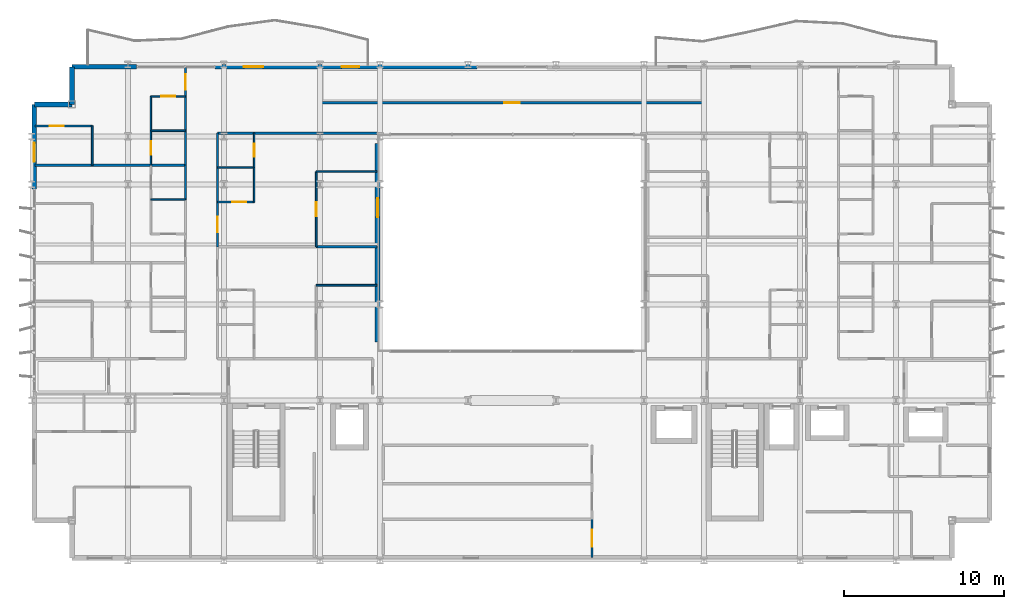
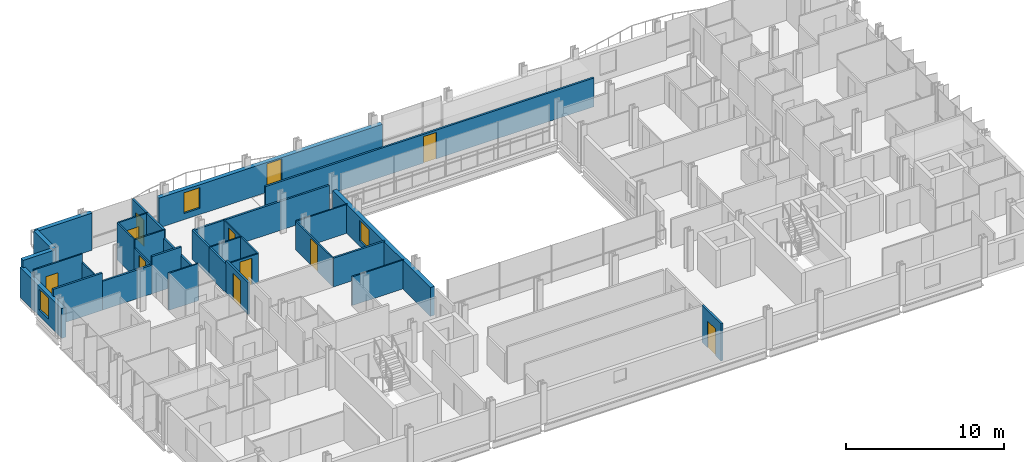
# One storey, part 29 of 39: 35 walls, 11 doors, 3 windows, 14 openings.
"""IFC4 building model written with IfcOpenShell, lengths in metres."""

from ifc_helpers import new_model, si_unit, direction, frame, frame_2d, origin, place, context, subcontext, project, spatial, rectangle, extrude, material, layer, layer_set, type_object, element, fill, save


model = new_model("IFC4")

# Units and contexts
model_context = context("Model", 3, precision=1e-05, world=origin(), true_north=direction((0.0, 1.0)))
body_context = subcontext(model_context, "Body", "Model", "MODEL_VIEW")
ifc_project = project(units=[si_unit("LENGTHUNIT", "METRE"), si_unit("AREAUNIT", "SQUARE_METRE"), si_unit("VOLUMEUNIT", "CUBIC_METRE"), si_unit("PLANEANGLEUNIT", "RADIAN"), si_unit("MASSUNIT", "GRAM", prefix="KILO")], contexts=[model_context])

# Site, building, storey
site_placement = place(None, origin())
site = spatial("IfcSite", under=ifc_project, at=site_placement, CompositionType="ELEMENT")
building_placement = place(site_placement, origin())
building = spatial("IfcBuilding", under=site, at=building_placement, Name="Brevholm Reach", CompositionType="ELEMENT")
storey_placement = place(building_placement, frame((0.0, 0.0, 34.199951171875)))
storey = spatial("IfcBuildingStorey", under=building, at=storey_placement, Name="L08", CompositionType="ELEMENT", Elevation=34.199951171875)

# Walls
ifc_material_1 = material(Name="Concrete C40/50", Category="concrete")
ifc_layer_1 = layer(ifc_material_1, 0.300048828125)
ifc_layer_set_1 = layer_set([ifc_layer_1], Name="Concrete C40/50")
wall_type_1 = type_object("IfcWallType", Name="WAL-EXT-300", PredefinedType="STANDARD", material=ifc_layer_set_1)
for number, where, z_axis, x_axis, name in (
    (1, (2.5, 30.85009765625, 0.0), (0.0, 0.0, 1.0), (0.0, -1.0, 0.0), "L08 Facade Wall WAL-L08-CNW1"),
    (2, (2.5, 28.5, 0.0), (0.0, 0.0, 1.0), (-1.0, 0.0, 0.0), "L08 Facade Wall WAL-L08-CNW2"),
):
    element("IfcWall", number, at=place(storey_placement, frame(where, z_axis=z_axis, x_axis=x_axis)), inside=storey, type_object=wall_type_1, Name=name, PredefinedType="STANDARD", context=body_context, shape_type="SweptSolid", body=[
        extrude(rectangle(XDim=2.35009765625, YDim=0.300048828125, at=frame_2d((1.175048828125, 0.0))), origin(), (0.0, 0.0, 1.0), 2.8701171875),
    ])

# Wall, opening, window
wall_1_placement = place(storey_placement, frame((0.14990234375, 28.5, 0.0), z_axis=(0.0, 0.0, 1.0), x_axis=(0.0, -1.0, 0.0)))
wall_1 = element("IfcWall", 3, at=wall_1_placement, inside=storey, type_object=wall_type_1, Name="L08 Facade Wall WAL-L08-W-N", PredefinedType="STANDARD", context=body_context, shape_type="SweptSolid", body=[
    extrude(rectangle(XDim=5.280029296875, YDim=0.300048828125, at=frame_2d((2.64013671875, 0.0))), origin(), (0.0, 0.0, 1.0), 2.3056640625),
])
opening_1_placement = place(wall_1_placement, frame((2.39990234375, 0.0, 0.485107421875)))
opening_1 = element("IfcOpeningElement", 4, at=opening_1_placement, cuts=wall_1, Name="Opening WN-08", PredefinedType="OPENING", context=body_context, shape_type="SweptSolid", body=[
    extrude(rectangle(XDim=1.199951171875, YDim=1.60009765625, at=frame_2d((0.60009765625, 0.800048828125))), frame((0.0, 0.159912109375, 0.0), z_axis=(0.0, -1.0, 0.0), x_axis=(1.0, 0.0, 0.0)), (0.0, 0.0, 1.0), 0.320068359375),
])
ifc_material_2 = material(Name="Dark Anodised Aluminium and Solar-Control IGU Glass", Category="aluminium")
window_type = type_object("IfcWindowType", Name="WIN-RES-1200", PartitioningType="SINGLE_PANEL", PredefinedType="WINDOW", material=ifc_material_2)
window_1_placement = place(opening_1_placement, origin())
window_1 = element("IfcWindow", 5, at=window_1_placement, inside=storey, type_object=window_type, Name="L08 Window WIN-L08-WN-1", OverallHeight=1.60009765625, OverallWidth=1.199951171875, PartitioningType="SINGLE_PANEL", PredefinedType="WINDOW", context=body_context, shape_type="SweptSolid", body=[
    extrude(rectangle(XDim=1.199951171875, YDim=1.60009765625, at=frame_2d((0.60009765625, 0.800048828125))), frame((0.0, 0.030029296875, 0.0), z_axis=(0.0, -1.0, 0.0), x_axis=(1.0, 0.0, 0.0)), (0.0, 0.0, 1.0), 0.06005859375),
])
fill(opening_1, window_1)

# Wall
wall_2_placement = place(storey_placement, frame((2.5, 30.85009765625, 0.0), z_axis=(0.0, 0.0, 1.0), x_axis=(1.0, 0.0, 0.0)))
element("IfcWall", 6, at=wall_2_placement, inside=storey, type_object=wall_type_1, Name="L08 Facade Wall WAL-L08-NP-W0", PredefinedType="STANDARD", context=body_context, shape_type="SweptSolid", body=[
    extrude(rectangle(XDim=4.050048828125, YDim=0.300048828125, at=frame_2d((2.02490234375, 0.0))), origin(), (0.0, 0.0, 1.0), 2.8701171875),
])

# Wall, openings, door, window
wall_3_placement = place(storey_placement, frame((11.449951171875, 30.85009765625, 0.0), z_axis=(0.0, 0.0, 1.0), x_axis=(1.0, 0.0, 0.0)))
wall_3 = element("IfcWall", 7, at=wall_3_placement, inside=storey, type_object=wall_type_1, Name="L08 Facade Wall WAL-L08-NP-WL", PredefinedType="STANDARD", context=body_context, shape_type="SweptSolid", body=[
    extrude(rectangle(XDim=16.35009765625, YDim=0.300048828125, at=frame_2d((8.175048828125, 0.0))), origin(), (0.0, 0.0, 1.0), 2.3056640625),
])
opening_2_placement = place(wall_3_placement, frame((7.89794921875, 0.0, 0.0)))
opening_2 = element("IfcOpeningElement", 8, at=opening_2_placement, cuts=wall_3, Name="Opening BD-01", PredefinedType="OPENING", context=body_context, shape_type="SweptSolid", body=[
    extrude(rectangle(XDim=1.10009765625, YDim=2.199951171875, at=frame_2d((0.550048828125, 1.10009765625))), frame((0.0, 0.159912109375, 0.0), z_axis=(0.0, -1.0, 0.0), x_axis=(1.0, 0.0, 0.0)), (0.0, 0.0, 1.0), 0.320068359375),
])
opening_3_placement = place(wall_3_placement, frame((1.800048828125, 0.0, 0.485107421875)))
opening_3 = element("IfcOpeningElement", 9, at=opening_3_placement, cuts=wall_3, Name="Opening WN-08", PredefinedType="OPENING", context=body_context, shape_type="SweptSolid", body=[
    extrude(rectangle(XDim=1.199951171875, YDim=1.60009765625, at=frame_2d((0.60009765625, 0.800048828125))), frame((0.0, 0.159912109375, 0.0), z_axis=(0.0, -1.0, 0.0), x_axis=(1.0, 0.0, 0.0)), (0.0, 0.0, 1.0), 0.320068359375),
])
ifc_material_3 = material(Name="Dark Anodised Aluminium and Triple-Glazed Glass", Category="aluminium")
door_type_1 = type_object("IfcDoorType", Name="DOR-BALC-1100", OperationType="NOTDEFINED", PredefinedType="DOOR", material=ifc_material_3)
door_1_placement = place(opening_2_placement, origin())
door_1 = element("IfcDoor", 10, at=door_1_placement, inside=storey, type_object=door_type_1, Name="L08 Exterior Door DOR-L08-BL-NW", OperationType="SINGLE_SWING_LEFT", OverallHeight=2.199951171875, OverallWidth=1.10009765625, PredefinedType="DOOR", context=body_context, shape_type="SweptSolid", body=[
    extrude(rectangle(XDim=1.10009765625, YDim=2.199951171875, at=frame_2d((0.550048828125, 1.10009765625))), frame((0.0, 0.02490234375, 0.0), z_axis=(0.0, -1.0, 0.0), x_axis=(1.0, 0.0, 0.0)), (0.0, 0.0, 1.0), 0.050048828125),
])
fill(opening_2, door_1)
window_2_placement = place(opening_3_placement, origin())
window_2 = element("IfcWindow", 11, at=window_2_placement, inside=storey, type_object=window_type, Name="L08 Window WIN-L08-NP-WL1", OverallHeight=1.60009765625, OverallWidth=1.199951171875, PartitioningType="SINGLE_PANEL", PredefinedType="WINDOW", context=body_context, shape_type="SweptSolid", body=[
    extrude(rectangle(XDim=1.199951171875, YDim=1.60009765625, at=frame_2d((0.60009765625, 0.800048828125))), frame((0.0, 0.030029296875, 0.0), z_axis=(0.0, -1.0, 0.0), x_axis=(1.0, 0.0, 0.0)), (0.0, 0.0, 1.0), 0.06005859375),
])
fill(opening_3, window_2)

# Wall, opening, window
wall_4_placement = place(storey_placement, frame((21.60009765625, 26.050048828125, 0.0), z_axis=(0.0, 0.0, 1.0), x_axis=(0.0, -1.0, 0.0)))
wall_4 = element("IfcWall", 12, at=wall_4_placement, inside=storey, type_object=wall_type_1, Name="L08 Facade Wall WAL-L08-AT-W", PredefinedType="STANDARD", context=body_context, shape_type="SweptSolid", body=[
    extrude(rectangle(XDim=12.400146484375, YDim=0.300048828125, at=frame_2d((6.2001953125, 0.0))), origin(), (0.0, 0.0, 1.0), 2.224853515625),
])
opening_4_placement = place(wall_4_placement, frame((3.39990234375, 0.0, 0.405029296875)))
opening_4 = element("IfcOpeningElement", 13, at=opening_4_placement, cuts=wall_4, Name="Opening WN-08", PredefinedType="OPENING", context=body_context, shape_type="SweptSolid", body=[
    extrude(rectangle(XDim=1.199951171875, YDim=1.60009765625, at=frame_2d((0.60009765625, 0.800048828125))), frame((0.0, 0.159912109375, 0.0), z_axis=(0.0, -1.0, 0.0), x_axis=(1.0, 0.0, 0.0)), (0.0, 0.0, 1.0), 0.320068359375),
])
window_3_placement = place(opening_4_placement, origin())
window_3 = element("IfcWindow", 14, at=window_3_placement, inside=storey, type_object=window_type, Name="L08 Window WIN-L08-AT-W1", OverallHeight=1.60009765625, OverallWidth=1.199951171875, PartitioningType="SINGLE_PANEL", PredefinedType="WINDOW", context=body_context, shape_type="SweptSolid", body=[
    extrude(rectangle(XDim=1.199951171875, YDim=1.60009765625, at=frame_2d((0.60009765625, 0.800048828125))), frame((0.0, 0.030029296875, 0.0), z_axis=(0.0, -1.0, 0.0), x_axis=(1.0, 0.0, 0.0)), (0.0, 0.0, 1.0), 0.06005859375),
])
fill(opening_4, window_3)

# Walls
ifc_material_4 = material(Name="Moisture-Resistant Acoustic Gypsum Stud Partition 100 mm", Category="gypsum")
ifc_layer_2 = layer(ifc_material_4, 0.10009765625)
ifc_layer_set_2 = layer_set([ifc_layer_2], Name="Moisture-Resistant Acoustic Gypsum Stud Partition 100 mm")
wall_type_2 = type_object("IfcWallType", Name="WAL-PRT-100", PredefinedType="PARTITIONING", material=ifc_layer_set_2)
for number, where, z_axis, x_axis, name in (
    (15, (7.43798828125, 22.550048828125, 0.0), (0.0, 0.0, 1.0), (1.0, 0.0, 0.0), "L08 Internal Partition 095"),
    (16, (7.43798828125, 26.85009765625, 0.0), (0.0, 0.0, 1.0), (1.0, 0.0, 0.0), "L08 Internal Partition 104"),
):
    element("IfcWall", number, at=place(storey_placement, frame(where, z_axis=z_axis, x_axis=x_axis)), inside=storey, type_object=wall_type_2, Name=name, PredefinedType="PARTITIONING", context=body_context, shape_type="SweptSolid", body=[
        extrude(rectangle(XDim=2.157958984375, YDim=0.10009765625, at=frame_2d((1.0791015625, 0.0))), origin(), (0.0, 0.0, 1.0), 2.8701171875),
    ])

# Wall, opening, door
wall_5_placement = place(storey_placement, frame((7.43798828125, 24.7041015625, 0.0), z_axis=(0.0, 0.0, 1.0), x_axis=(0.0, 1.0, 0.0)))
wall_5 = element("IfcWall", 17, at=wall_5_placement, inside=storey, type_object=wall_type_2, Name="L08 Internal Partition 105", PredefinedType="PARTITIONING", context=body_context, shape_type="SweptSolid", body=[
    extrude(rectangle(XDim=2.14599609375, YDim=0.10009765625, at=frame_2d((1.072998046875, 0.0))), origin(), (0.0, 0.0, 1.0), 2.224853515625),
])
opening_5_placement = place(wall_5_placement, frame((0.6630859375, 0.0, 0.0)))
opening_5 = element("IfcOpeningElement", 18, at=opening_5_placement, cuts=wall_5, Name="Opening ID-03", PredefinedType="OPENING", context=body_context, shape_type="SweptSolid", body=[
    extrude(rectangle(XDim=0.820068359375, YDim=2.02001953125, at=frame_2d((0.41015625, 1.010009765625))), frame((0.0, 0.06005859375, 0.0), z_axis=(0.0, -1.0, 0.0), x_axis=(1.0, 0.0, 0.0)), (0.0, 0.0, 1.0), 0.1201171875),
])
ifc_material_5 = material(Name="Moisture-Resistant Painted Timber Internal Bathroom Door", Category="wood")
door_type_2 = type_object("IfcDoorType", Name="DOR-BATH-820", OperationType="NOTDEFINED", PredefinedType="DOOR", material=ifc_material_5)
door_2_placement = place(opening_5_placement, origin())
door_2 = element("IfcDoor", 19, at=door_2_placement, inside=storey, type_object=door_type_2, Name="L08 Internal Door 037", OperationType="SINGLE_SWING_LEFT", OverallHeight=2.02001953125, OverallWidth=0.820068359375, PredefinedType="DOOR", context=body_context, shape_type="SweptSolid", body=[
    extrude(rectangle(XDim=0.820068359375, YDim=2.02001953125, at=frame_2d((0.41015625, 1.010009765625))), frame((0.0, 0.02490234375, 0.0), z_axis=(0.0, -1.0, 0.0), x_axis=(1.0, 0.0, 0.0)), (0.0, 0.0, 1.0), 0.050048828125),
])
fill(opening_5, door_2)

wall_6_placement = place(storey_placement, frame((7.43798828125, 29.0, 0.0), z_axis=(0.0, 0.0, 1.0), x_axis=(1.0, 0.0, 0.0)))
wall_6 = element("IfcWall", 20, at=wall_6_placement, inside=storey, type_object=wall_type_2, Name="L08 Internal Partition 106", PredefinedType="PARTITIONING", context=body_context, shape_type="SweptSolid", body=[
    extrude(rectangle(XDim=2.157958984375, YDim=0.10009765625, at=frame_2d((1.0791015625, 0.0))), origin(), (0.0, 0.0, 1.0), 2.8701171875),
])
opening_6_placement = place(wall_6_placement, frame((0.638916015625, 0.0, 0.0)))
opening_6 = element("IfcOpeningElement", 21, at=opening_6_placement, cuts=wall_6, Name="Opening ID-01", PredefinedType="OPENING", context=body_context, shape_type="SweptSolid", body=[
    extrude(rectangle(XDim=0.8798828125, YDim=2.0400390625, at=frame_2d((0.43994140625, 1.02001953125))), frame((0.0, 0.06005859375, 0.0), z_axis=(0.0, -1.0, 0.0), x_axis=(1.0, 0.0, 0.0)), (0.0, 0.0, 1.0), 0.1201171875),
])
ifc_material_6 = material(Name="Lacquered Ash Solid-Core Acoustic Internal Door", Category="timber")
door_type_3 = type_object("IfcDoorType", Name="DOR-INT-880", OperationType="NOTDEFINED", PredefinedType="DOOR", material=ifc_material_6)
door_3_placement = place(opening_6_placement, origin())
door_3 = element("IfcDoor", 22, at=door_3_placement, inside=storey, type_object=door_type_3, Name="L08 Internal Door 038", OperationType="SINGLE_SWING_RIGHT", OverallHeight=2.0400390625, OverallWidth=0.8798828125, PredefinedType="DOOR", context=body_context, shape_type="SweptSolid", body=[
    extrude(rectangle(XDim=0.8798828125, YDim=2.0400390625, at=frame_2d((0.43994140625, 1.02001953125))), frame((0.0, 0.02490234375, 0.0), z_axis=(0.0, -1.0, 0.0), x_axis=(1.0, 0.0, 0.0)), (0.0, 0.0, 1.0), 0.050048828125),
])
fill(opening_6, door_3)

# Walls
wall_7_placement = place(storey_placement, frame((7.43798828125, 26.85400390625, 0.0), z_axis=(0.0, 0.0, 1.0), x_axis=(0.0, 1.0, 0.0)))
element("IfcWall", 23, at=wall_7_placement, inside=storey, type_object=wall_type_2, Name="L08 Internal Partition 107", PredefinedType="PARTITIONING", context=body_context, shape_type="SweptSolid", body=[
    extrude(rectangle(XDim=2.14599609375, YDim=0.10009765625, at=frame_2d((1.072998046875, 0.0))), origin(), (0.0, 0.0, 1.0), 2.8701171875),
])
wall_8_placement = place(storey_placement, frame((3.77197265625, 24.7041015625, 0.0), z_axis=(0.0, 0.0, 1.0), x_axis=(0.0, 1.0, 0.0)))
element("IfcWall", 24, at=wall_8_placement, inside=storey, type_object=wall_type_2, Name="L08 Internal Partition 108", PredefinedType="PARTITIONING", context=body_context, shape_type="SweptSolid", body=[
    extrude(rectangle(XDim=2.44580078125, YDim=0.10009765625, at=frame_2d((1.222900390625, 0.0))), origin(), (0.0, 0.0, 1.0), 2.224853515625),
])

# Wall, opening, door
wall_9_placement = place(storey_placement, frame((0.199951171875, 27.14990234375, 0.0), z_axis=(0.0, 0.0, 1.0), x_axis=(1.0, 0.0, 0.0)))
wall_9 = element("IfcWall", 25, at=wall_9_placement, inside=storey, type_object=wall_type_2, Name="L08 Internal Partition 109", PredefinedType="PARTITIONING", context=body_context, shape_type="SweptSolid", body=[
    extrude(rectangle(XDim=3.572021484375, YDim=0.10009765625, at=frame_2d((1.7861328125, 0.0))), origin(), (0.0, 0.0, 1.0), 2.8701171875),
])
opening_7_placement = place(wall_9_placement, frame((0.906005859375, 0.0, 0.0)))
opening_7 = element("IfcOpeningElement", 26, at=opening_7_placement, cuts=wall_9, Name="Opening ID-01", PredefinedType="OPENING", context=body_context, shape_type="SweptSolid", body=[
    extrude(rectangle(XDim=0.8798828125, YDim=2.0400390625, at=frame_2d((0.43994140625, 1.02001953125))), frame((0.0, 0.06005859375, 0.0), z_axis=(0.0, -1.0, 0.0), x_axis=(1.0, 0.0, 0.0)), (0.0, 0.0, 1.0), 0.1201171875),
])
door_4_placement = place(opening_7_placement, origin())
door_4 = element("IfcDoor", 27, at=door_4_placement, inside=storey, type_object=door_type_3, Name="L08 Internal Door 039", OperationType="SINGLE_SWING_LEFT", OverallHeight=2.0400390625, OverallWidth=0.8798828125, PredefinedType="DOOR", context=body_context, shape_type="SweptSolid", body=[
    extrude(rectangle(XDim=0.8798828125, YDim=2.0400390625, at=frame_2d((0.43994140625, 1.02001953125))), frame((0.0, 0.02490234375, 0.0), z_axis=(0.0, -1.0, 0.0), x_axis=(1.0, 0.0, 0.0)), (0.0, 0.0, 1.0), 0.050048828125),
])
fill(opening_7, door_4)

# Walls
wall_10_placement = place(storey_placement, frame((17.76904296875, 17.199951171875, 0.0), z_axis=(0.0, 0.0, 1.0), x_axis=(1.0, 0.0, 0.0)))
element("IfcWall", 28, at=wall_10_placement, inside=storey, type_object=wall_type_2, Name="L08 Internal Partition 114", PredefinedType="PARTITIONING", context=body_context, shape_type="SweptSolid", body=[
    extrude(rectangle(XDim=3.781005859375, YDim=0.10009765625, at=frame_2d((1.890625, 0.0))), origin(), (0.0, 0.0, 1.0), 2.224853515625),
])
wall_11_placement = place(storey_placement, frame((11.60400390625, 24.550048828125, 0.0), z_axis=(0.0, 0.0, 1.0), x_axis=(1.0, 0.0, 0.0)))
element("IfcWall", 29, at=wall_11_placement, inside=storey, type_object=wall_type_2, Name="L08 Internal Partition 118", PredefinedType="PARTITIONING", context=body_context, shape_type="SweptSolid", body=[
    extrude(rectangle(XDim=2.284912109375, YDim=0.10009765625, at=frame_2d((1.142578125, 0.0))), origin(), (0.0, 0.0, 1.0), 2.224853515625),
])

# Wall, opening, door
wall_12_placement = place(storey_placement, frame((13.888916015625, 24.550048828125, 0.0), z_axis=(0.0, 0.0, 1.0), x_axis=(0.0, 1.0, 0.0)))
wall_12 = element("IfcWall", 30, at=wall_12_placement, inside=storey, type_object=wall_type_2, Name="L08 Internal Partition 119", PredefinedType="PARTITIONING", context=body_context, shape_type="SweptSolid", body=[
    extrude(rectangle(XDim=2.14599609375, YDim=0.10009765625, at=frame_2d((1.072998046875, 0.0))), origin(), (0.0, 0.0, 1.0), 2.224853515625),
])
opening_8_placement = place(wall_12_placement, frame((0.6630859375, 0.0, 0.0)))
opening_8 = element("IfcOpeningElement", 31, at=opening_8_placement, cuts=wall_12, Name="Opening ID-03", PredefinedType="OPENING", context=body_context, shape_type="SweptSolid", body=[
    extrude(rectangle(XDim=0.820068359375, YDim=2.02001953125, at=frame_2d((0.41015625, 1.010009765625))), frame((0.0, 0.06005859375, 0.0), z_axis=(0.0, -1.0, 0.0), x_axis=(1.0, 0.0, 0.0)), (0.0, 0.0, 1.0), 0.1201171875),
])
door_5_placement = place(opening_8_placement, origin())
door_5 = element("IfcDoor", 32, at=door_5_placement, inside=storey, type_object=door_type_2, Name="L08 Internal Door 043", OperationType="SINGLE_SWING_LEFT", OverallHeight=2.02001953125, OverallWidth=0.820068359375, PredefinedType="DOOR", context=body_context, shape_type="SweptSolid", body=[
    extrude(rectangle(XDim=0.820068359375, YDim=2.02001953125, at=frame_2d((0.41015625, 1.010009765625))), frame((0.0, 0.02490234375, 0.0), z_axis=(0.0, -1.0, 0.0), x_axis=(1.0, 0.0, 0.0)), (0.0, 0.0, 1.0), 0.050048828125),
])
fill(opening_8, door_5)

wall_13_placement = place(storey_placement, frame((11.60400390625, 22.39990234375, 0.0), z_axis=(0.0, 0.0, 1.0), x_axis=(1.0, 0.0, 0.0)))
wall_13 = element("IfcWall", 33, at=wall_13_placement, inside=storey, type_object=wall_type_2, Name="L08 Internal Partition 120", PredefinedType="PARTITIONING", context=body_context, shape_type="SweptSolid", body=[
    extrude(rectangle(XDim=2.284912109375, YDim=0.10009765625, at=frame_2d((1.142578125, 0.0))), origin(), (0.0, 0.0, 1.0), 2.224853515625),
])
opening_9_placement = place(wall_13_placement, frame((0.922607421875, 0.0, 0.0)))
opening_9 = element("IfcOpeningElement", 34, at=opening_9_placement, cuts=wall_13, Name="Opening ID-01", PredefinedType="OPENING", context=body_context, shape_type="SweptSolid", body=[
    extrude(rectangle(XDim=0.8798828125, YDim=2.0400390625, at=frame_2d((0.43994140625, 1.02001953125))), frame((0.0, 0.06005859375, 0.0), z_axis=(0.0, -1.0, 0.0), x_axis=(1.0, 0.0, 0.0)), (0.0, 0.0, 1.0), 0.1201171875),
])
door_6_placement = place(opening_9_placement, origin())
door_6 = element("IfcDoor", 35, at=door_6_placement, inside=storey, type_object=door_type_3, Name="L08 Internal Door 044", OperationType="SINGLE_SWING_RIGHT", OverallHeight=2.0400390625, OverallWidth=0.8798828125, PredefinedType="DOOR", context=body_context, shape_type="SweptSolid", body=[
    extrude(rectangle(XDim=0.8798828125, YDim=2.0400390625, at=frame_2d((0.43994140625, 1.02001953125))), frame((0.0, 0.02490234375, 0.0), z_axis=(0.0, -1.0, 0.0), x_axis=(1.0, 0.0, 0.0)), (0.0, 0.0, 1.0), 0.050048828125),
])
fill(opening_9, door_6)

# Walls
wall_14_placement = place(storey_placement, frame((13.888916015625, 22.39990234375, 0.0), z_axis=(0.0, 0.0, 1.0), x_axis=(0.0, 1.0, 0.0)))
element("IfcWall", 36, at=wall_14_placement, inside=storey, type_object=wall_type_2, Name="L08 Internal Partition 121", PredefinedType="PARTITIONING", context=body_context, shape_type="SweptSolid", body=[
    extrude(rectangle(XDim=2.14599609375, YDim=0.10009765625, at=frame_2d((1.072998046875, 0.0))), origin(), (0.0, 0.0, 1.0), 2.224853515625),
])
wall_15_placement = place(storey_placement, frame((17.76904296875, 24.300048828125, 0.0), z_axis=(0.0, 0.0, 1.0), x_axis=(1.0, 0.0, 0.0)))
element("IfcWall", 37, at=wall_15_placement, inside=storey, type_object=wall_type_2, Name="L08 Internal Partition 122", PredefinedType="PARTITIONING", context=body_context, shape_type="SweptSolid", body=[
    extrude(rectangle(XDim=3.781005859375, YDim=0.10009765625, at=frame_2d((1.890625, 0.0))), origin(), (0.0, 0.0, 1.0), 2.224853515625),
])

# Wall, opening, door
wall_16_placement = place(storey_placement, frame((17.76904296875, 19.60400390625, 0.0), z_axis=(0.0, 0.0, 1.0), x_axis=(0.0, 1.0, 0.0)))
wall_16 = element("IfcWall", 38, at=wall_16_placement, inside=storey, type_object=wall_type_2, Name="L08 Internal Partition 123", PredefinedType="PARTITIONING", context=body_context, shape_type="SweptSolid", body=[
    extrude(rectangle(XDim=4.696044921875, YDim=0.10009765625, at=frame_2d((2.34814453125, 0.0))), origin(), (0.0, 0.0, 1.0), 2.224853515625),
])
opening_10_placement = place(wall_16_placement, frame((1.907958984375, 0.0, 0.0)))
opening_10 = element("IfcOpeningElement", 39, at=opening_10_placement, cuts=wall_16, Name="Opening ID-01", PredefinedType="OPENING", context=body_context, shape_type="SweptSolid", body=[
    extrude(rectangle(XDim=0.8798828125, YDim=2.0400390625, at=frame_2d((0.43994140625, 1.02001953125))), frame((0.0, 0.06005859375, 0.0), z_axis=(0.0, -1.0, 0.0), x_axis=(1.0, 0.0, 0.0)), (0.0, 0.0, 1.0), 0.1201171875),
])
door_7_placement = place(opening_10_placement, origin())
door_7 = element("IfcDoor", 40, at=door_7_placement, inside=storey, type_object=door_type_3, Name="L08 Internal Door 045", OperationType="SINGLE_SWING_LEFT", OverallHeight=2.0400390625, OverallWidth=0.8798828125, PredefinedType="DOOR", context=body_context, shape_type="SweptSolid", body=[
    extrude(rectangle(XDim=0.8798828125, YDim=2.0400390625, at=frame_2d((0.43994140625, 1.02001953125))), frame((0.0, 0.02490234375, 0.0), z_axis=(0.0, -1.0, 0.0), x_axis=(1.0, 0.0, 0.0)), (0.0, 0.0, 1.0), 0.050048828125),
])
fill(opening_10, door_7)

ifc_material_7 = material(Name="Twin-Stud Acoustic Fire-Rated Gypsum Partition 140 mm", Category="gypsum")
ifc_layer_3 = layer(ifc_material_7, 0.139892578125)
ifc_layer_set_3 = layer_set([ifc_layer_3], Name="Twin-Stud Acoustic Fire-Rated Gypsum Partition 140 mm")
wall_type_3 = type_object("IfcWallType", Name="WAL-PRT-140", PredefinedType="PARTITIONING", material=ifc_layer_set_3)
wall_17_placement = place(storey_placement, frame((35.0, 0.179931640625, 0.0), z_axis=(0.0, 0.0, 1.0), x_axis=(0.0, 1.0, 0.0)))
wall_17 = element("IfcWall", 41, at=wall_17_placement, inside=storey, type_object=wall_type_3, Name="L08 Internal Partition 001", PredefinedType="PARTITIONING", context=body_context, shape_type="SweptSolid", body=[
    extrude(rectangle(XDim=2.408447265625, YDim=0.139892578125, at=frame_2d((1.2041015625, 0.0))), origin(), (0.0, 0.0, 1.0), 2.8701171875),
])
opening_11_placement = place(wall_17_placement, frame((0.67919921875, 0.0, 0.0)))
opening_11 = element("IfcOpeningElement", 42, at=opening_11_placement, cuts=wall_17, Name="Opening FD-01", PredefinedType="OPENING", context=body_context, shape_type="SweptSolid", body=[
    extrude(rectangle(XDim=1.050048828125, YDim=2.06005859375, at=frame_2d((0.52490234375, 1.030029296875))), frame((0.0, 0.079833984375, 0.0), z_axis=(0.0, -1.0, 0.0), x_axis=(1.0, 0.0, 0.0)), (0.0, 0.0, 1.0), 0.159912109375),
])
ifc_material_8 = material(Name="Hardwood-Lipped Steel-Core Fire and Smoke Door", Category="steel")
door_type_4 = type_object("IfcDoorType", Name="DOR-INT-FD60S", OperationType="NOTDEFINED", PredefinedType="DOOR", material=ifc_material_8)
door_8_placement = place(opening_11_placement, origin())
door_8 = element("IfcDoor", 43, at=door_8_placement, inside=storey, type_object=door_type_4, Name="L08 Internal Door 001", OperationType="SINGLE_SWING_LEFT", OverallHeight=2.06005859375, OverallWidth=1.050048828125, PredefinedType="DOOR", context=body_context, shape_type="SweptSolid", body=[
    extrude(rectangle(XDim=1.050048828125, YDim=2.06005859375, at=frame_2d((0.52490234375, 1.030029296875))), frame((0.0, 0.02490234375, 0.0), z_axis=(0.0, -1.0, 0.0), x_axis=(1.0, 0.0, 0.0)), (0.0, 0.0, 1.0), 0.050048828125),
])
fill(opening_11, door_8)

# Walls
wall_18_placement = place(storey_placement, frame((9.60009765625, 22.538818359375, 0.0), z_axis=(0.0, 0.0, 1.0), x_axis=(0.0, 1.0, 0.0)))
element("IfcWall", 44, at=wall_18_placement, inside=storey, type_object=wall_type_3, Name="L08 Internal Partition 033", PredefinedType="PARTITIONING", context=body_context, shape_type="SweptSolid", body=[
    extrude(rectangle(XDim=2.17236328125, YDim=0.139892578125, at=frame_2d((1.086181640625, 0.0))), origin(), (0.0, 0.0, 1.0), 2.224853515625),
])
wall_19_placement = place(storey_placement, frame((9.60009765625, 24.692626953125, 0.0), z_axis=(0.0, 0.0, 1.0), x_axis=(0.0, 1.0, 0.0)))
element("IfcWall", 45, at=wall_19_placement, inside=storey, type_object=wall_type_3, Name="L08 Internal Partition 036", PredefinedType="PARTITIONING", context=body_context, shape_type="SweptSolid", body=[
    extrude(rectangle(XDim=2.168701171875, YDim=0.139892578125, at=frame_2d((1.08447265625, 0.0))), origin(), (0.0, 0.0, 1.0), 2.224853515625),
])
wall_20_placement = place(storey_placement, frame((9.60009765625, 26.8427734375, 0.0), z_axis=(0.0, 0.0, 1.0), x_axis=(0.0, 1.0, 0.0)))
element("IfcWall", 46, at=wall_20_placement, inside=storey, type_object=wall_type_3, Name="L08 Internal Partition 037", PredefinedType="PARTITIONING", context=body_context, shape_type="SweptSolid", body=[
    extrude(rectangle(XDim=2.16845703125, YDim=0.139892578125, at=frame_2d((1.084228515625, 0.0))), origin(), (0.0, 0.0, 1.0), 2.8701171875),
])

# Wall, opening, door
wall_21_placement = place(storey_placement, frame((9.60009765625, 28.99267578125, 0.0), z_axis=(0.0, 0.0, 1.0), x_axis=(0.0, 1.0, 0.0)))
wall_21 = element("IfcWall", 47, at=wall_21_placement, inside=storey, type_object=wall_type_3, Name="L08 Internal Partition 038", PredefinedType="PARTITIONING", context=body_context, shape_type="SweptSolid", body=[
    extrude(rectangle(XDim=1.807373046875, YDim=0.139892578125, at=frame_2d((0.90380859375, 0.0))), origin(), (0.0, 0.0, 1.0), 2.8701171875),
])
opening_12_placement = place(wall_21_placement, frame((0.4287109375, 0.0, 0.0)))
opening_12 = element("IfcOpeningElement", 48, at=opening_12_placement, cuts=wall_21, Name="Opening ID-30", PredefinedType="OPENING", context=body_context, shape_type="SweptSolid", body=[
    extrude(rectangle(XDim=0.949951171875, YDim=2.050048828125, at=frame_2d((0.47509765625, 1.02490234375))), frame((0.0, 0.079833984375, 0.0), z_axis=(0.0, -1.0, 0.0), x_axis=(1.0, 0.0, 0.0)), (0.0, 0.0, 1.0), 0.159912109375),
])
ifc_material_9 = material(Name="European Oak Veneered Solid-Core Fire Entrance Door", Category="timber")
door_type_5 = type_object("IfcDoorType", Name="DOR-FLT-FD30S", OperationType="NOTDEFINED", PredefinedType="DOOR", material=ifc_material_9)
door_9_placement = place(opening_12_placement, origin())
door_9 = element("IfcDoor", 49, at=door_9_placement, inside=storey, type_object=door_type_5, Name="L08 Internal Door 017", OperationType="SINGLE_SWING_LEFT", OverallHeight=2.050048828125, OverallWidth=0.949951171875, PredefinedType="DOOR", context=body_context, shape_type="SweptSolid", body=[
    extrude(rectangle(XDim=0.949951171875, YDim=2.050048828125, at=frame_2d((0.47509765625, 1.02490234375))), frame((0.0, 0.02490234375, 0.0), z_axis=(0.0, -1.0, 0.0), x_axis=(1.0, 0.0, 0.0)), (0.0, 0.0, 1.0), 0.050048828125),
])
fill(opening_12, door_9)

# Walls
wall_22_placement = place(storey_placement, frame((11.60009765625, 24.538818359375, 0.0), z_axis=(0.0, 0.0, 1.0), x_axis=(0.0, 1.0, 0.0)))
element("IfcWall", 50, at=wall_22_placement, inside=storey, type_object=wall_type_3, Name="L08 Internal Partition 042", PredefinedType="PARTITIONING", context=body_context, shape_type="SweptSolid", body=[
    extrude(rectangle(XDim=2.16845703125, YDim=0.139892578125, at=frame_2d((1.084228515625, 0.0))), origin(), (0.0, 0.0, 1.0), 2.224853515625),
])
wall_23_placement = place(storey_placement, frame((11.60009765625, 22.388671875, 0.0), z_axis=(0.0, 0.0, 1.0), x_axis=(0.0, 1.0, 0.0)))
element("IfcWall", 51, at=wall_23_placement, inside=storey, type_object=wall_type_3, Name="L08 Internal Partition 043", PredefinedType="PARTITIONING", context=body_context, shape_type="SweptSolid", body=[
    extrude(rectangle(XDim=2.168701171875, YDim=0.139892578125, at=frame_2d((1.08447265625, 0.0))), origin(), (0.0, 0.0, 1.0), 2.224853515625),
])

# Wall, opening, door
wall_24_placement = place(storey_placement, frame((11.60009765625, 19.5927734375, 0.0), z_axis=(0.0, 0.0, 1.0), x_axis=(0.0, 1.0, 0.0)))
wall_24 = element("IfcWall", 52, at=wall_24_placement, inside=storey, type_object=wall_type_3, Name="L08 Internal Partition 044", PredefinedType="PARTITIONING", context=body_context, shape_type="SweptSolid", body=[
    extrude(rectangle(XDim=2.814453125, YDim=0.139892578125, at=frame_2d((1.4072265625, 0.0))), origin(), (0.0, 0.0, 1.0), 2.489990234375),
])
opening_13_placement = place(wall_24_placement, frame((0.932373046875, 0.0, 0.0)))
opening_13 = element("IfcOpeningElement", 53, at=opening_13_placement, cuts=wall_24, Name="Opening ID-30", PredefinedType="OPENING", context=body_context, shape_type="SweptSolid", body=[
    extrude(rectangle(XDim=0.949951171875, YDim=2.050048828125, at=frame_2d((0.47509765625, 1.02490234375))), frame((0.0, 0.079833984375, 0.0), z_axis=(0.0, -1.0, 0.0), x_axis=(1.0, 0.0, 0.0)), (0.0, 0.0, 1.0), 0.159912109375),
])
door_10_placement = place(opening_13_placement, origin())
door_10 = element("IfcDoor", 54, at=door_10_placement, inside=storey, type_object=door_type_5, Name="L08 Internal Door 019", OperationType="SINGLE_SWING_LEFT", OverallHeight=2.050048828125, OverallWidth=0.949951171875, PredefinedType="DOOR", context=body_context, shape_type="SweptSolid", body=[
    extrude(rectangle(XDim=0.949951171875, YDim=2.050048828125, at=frame_2d((0.47509765625, 1.02490234375))), frame((0.0, 0.02490234375, 0.0), z_axis=(0.0, -1.0, 0.0), x_axis=(1.0, 0.0, 0.0)), (0.0, 0.0, 1.0), 0.050048828125),
])
fill(opening_13, door_10)

# Walls
wall_25_placement = place(storey_placement, frame((11.60400390625, 26.699951171875, 0.0), z_axis=(0.0, 0.0, 1.0), x_axis=(1.0, 0.0, 0.0)))
element("IfcWall", 55, at=wall_25_placement, inside=storey, type_object=wall_type_3, Name="L08 Internal Partition 060", PredefinedType="PARTITIONING", context=body_context, shape_type="SweptSolid", body=[
    extrude(rectangle(XDim=2.29638671875, YDim=0.139892578125, at=frame_2d((1.148193359375, 0.0))), origin(), (0.0, 0.0, 1.0), 2.224853515625),
])
wall_26_placement = place(storey_placement, frame((13.881591796875, 26.699951171875, 0.0), z_axis=(0.0, 0.0, 1.0), x_axis=(1.0, 0.0, 0.0)))
element("IfcWall", 56, at=wall_26_placement, inside=storey, type_object=wall_type_3, Name="L08 Internal Partition 061", PredefinedType="PARTITIONING", context=body_context, shape_type="SweptSolid", body=[
    extrude(rectangle(XDim=7.6796875, YDim=0.139892578125, at=frame_2d((3.83984375, 0.0))), origin(), (0.0, 0.0, 1.0), 2.224853515625),
])

# Wall, opening, door
wall_27_placement = place(storey_placement, frame((17.98876953125, 28.60009765625, 0.0), z_axis=(0.0, 0.0, 1.0), x_axis=(1.0, 0.0, 0.0)))
wall_27 = element("IfcWall", 57, at=wall_27_placement, inside=storey, type_object=wall_type_3, Name="L08 Internal Partition 064", PredefinedType="PARTITIONING", context=body_context, shape_type="SweptSolid", body=[
    extrude(rectangle(XDim=24.0224609375, YDim=0.139892578125, at=frame_2d((12.01123046875, 0.0))), origin(), (0.0, 0.0, 1.0), 2.224853515625),
])
opening_14_placement = place(wall_27_placement, frame((11.536376953125, 0.0, 0.0)))
opening_14 = element("IfcOpeningElement", 58, at=opening_14_placement, cuts=wall_27, Name="Opening ID-30", PredefinedType="OPENING", context=body_context, shape_type="SweptSolid", body=[
    extrude(rectangle(XDim=0.949951171875, YDim=2.050048828125, at=frame_2d((0.47509765625, 1.02490234375))), frame((0.0, 0.079833984375, 0.0), z_axis=(0.0, -1.0, 0.0), x_axis=(1.0, 0.0, 0.0)), (0.0, 0.0, 1.0), 0.159912109375),
])
door_11_placement = place(opening_14_placement, origin())
door_11 = element("IfcDoor", 59, at=door_11_placement, inside=storey, type_object=door_type_5, Name="L08 Internal Door 024", OperationType="SINGLE_SWING_RIGHT", OverallHeight=2.050048828125, OverallWidth=0.949951171875, PredefinedType="DOOR", context=body_context, shape_type="SweptSolid", body=[
    extrude(rectangle(XDim=0.949951171875, YDim=2.050048828125, at=frame_2d((0.47509765625, 1.02490234375))), frame((0.0, 0.02490234375, 0.0), z_axis=(0.0, -1.0, 0.0), x_axis=(1.0, 0.0, 0.0)), (0.0, 0.0, 1.0), 0.050048828125),
])
fill(opening_14, door_11)

# Walls
wall_28_placement = place(storey_placement, frame((7.43798828125, 24.699951171875, 0.0), z_axis=(0.0, 0.0, 1.0), x_axis=(1.0, 0.0, 0.0)))
element("IfcWall", 60, at=wall_28_placement, inside=storey, type_object=wall_type_3, Name="L08 Internal Partition 097", PredefinedType="PARTITIONING", context=body_context, shape_type="SweptSolid", body=[
    extrude(rectangle(XDim=2.157958984375, YDim=0.139892578125, at=frame_2d((1.0791015625, 0.0))), origin(), (0.0, 0.0, 1.0), 2.8701171875),
])
wall_29_placement = place(storey_placement, frame((0.199951171875, 24.699951171875, 0.0), z_axis=(0.0, 0.0, 1.0), x_axis=(1.0, 0.0, 0.0)))
element("IfcWall", 61, at=wall_29_placement, inside=storey, type_object=wall_type_3, Name="L08 Internal Partition 102", PredefinedType="PARTITIONING", context=body_context, shape_type="SweptSolid", body=[
    extrude(rectangle(XDim=3.583251953125, YDim=0.139892578125, at=frame_2d((1.79150390625, 0.0))), origin(), (0.0, 0.0, 1.0), 2.8701171875),
])
wall_30_placement = place(storey_placement, frame((3.7646484375, 24.699951171875, 0.0), z_axis=(0.0, 0.0, 1.0), x_axis=(1.0, 0.0, 0.0)))
element("IfcWall", 62, at=wall_30_placement, inside=storey, type_object=wall_type_3, Name="L08 Internal Partition 103", PredefinedType="PARTITIONING", context=body_context, shape_type="SweptSolid", body=[
    extrude(rectangle(XDim=3.66943359375, YDim=0.139892578125, at=frame_2d((1.834716796875, 0.0))), origin(), (0.0, 0.0, 1.0), 2.224853515625),
])
wall_31_placement = place(storey_placement, frame((17.7578125, 19.60009765625, 0.0), z_axis=(0.0, 0.0, 1.0), x_axis=(1.0, 0.0, 0.0)))
element("IfcWall", 63, at=wall_31_placement, inside=storey, type_object=wall_type_3, Name="L08 Internal Partition 116", PredefinedType="PARTITIONING", context=body_context, shape_type="SweptSolid", body=[
    extrude(rectangle(XDim=3.792236328125, YDim=0.139892578125, at=frame_2d((1.89599609375, 0.0))), origin(), (0.0, 0.0, 1.0), 2.224853515625),
])

save(model, "model.ifc")
